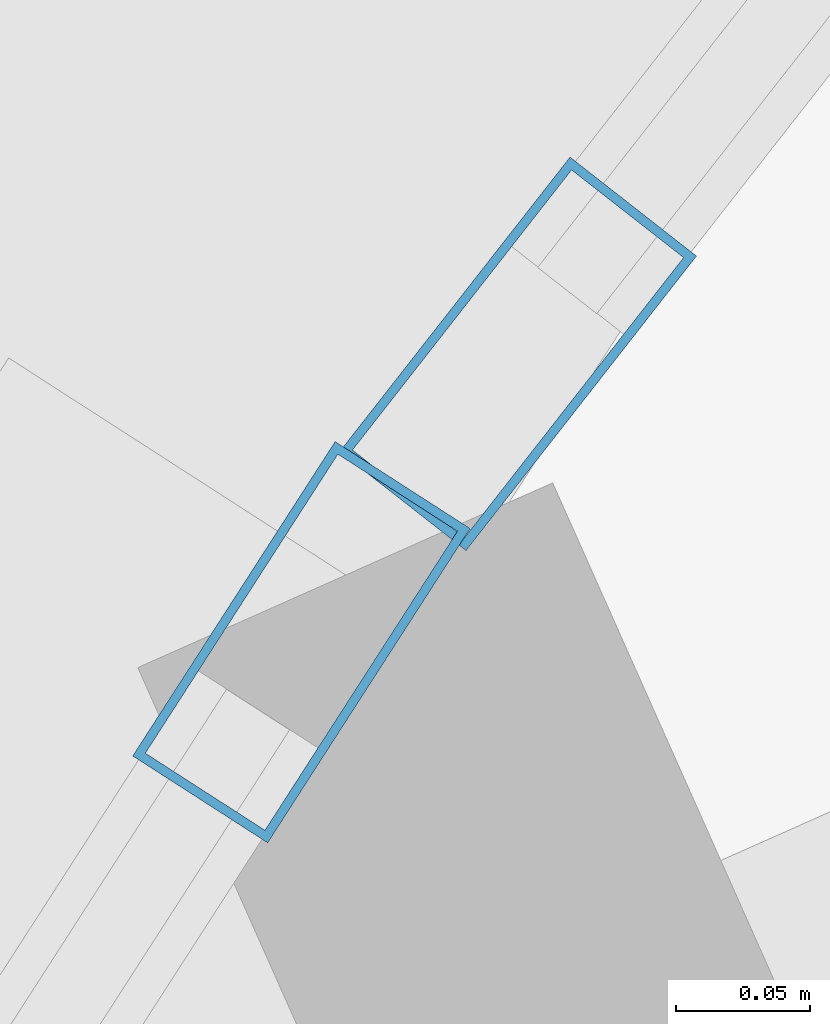
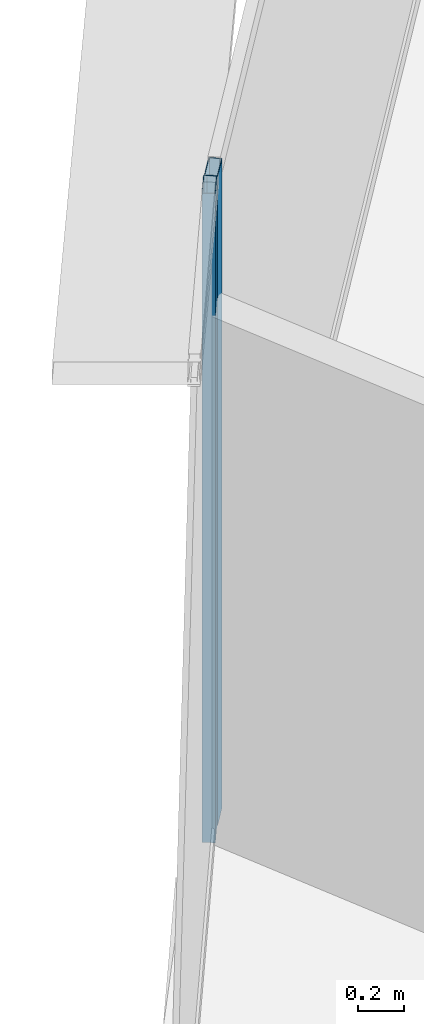
# One storey, part 16 of 34: 2 members, 2 elements without a shape of their own.
"""IFC4 building model written with IfcOpenShell, lengths in metres."""

from ifc_helpers import new_model, si_unit, direction, frame, origin, origin_2d, place, context, subcontext, project, spatial, hollow_rectangle, extrude, source, transform, mapped, material, layer, layer_set, material_profile, profile_set, type_object, element, aggregate, save


model = new_model("IFC4")

# Units and contexts
model_context = context("Model", 3, precision=1e-05, world=origin(), true_north=direction((0.0, 1.0)))
body_context = subcontext(model_context, "Body", "Model", "MODEL_VIEW")
ifc_project = project(units=[si_unit("LENGTHUNIT", "METRE"), si_unit("AREAUNIT", "SQUARE_METRE"), si_unit("VOLUMEUNIT", "CUBIC_METRE"), si_unit("PLANEANGLEUNIT", "RADIAN"), si_unit("MASSUNIT", "GRAM", prefix="KILO"), si_unit("THERMODYNAMICTEMPERATUREUNIT", "KELVIN"), si_unit("POWERUNIT", "WATT")], contexts=[model_context])

# Site, building, storey
site_placement = place(None, origin())
site = spatial("IfcSite", under=ifc_project, at=site_placement, CompositionType="ELEMENT")
building_placement = place(site_placement, origin())
building = spatial("IfcBuilding", under=site, at=building_placement, Name="Yunzhuo Pagoda Commons", CompositionType="ELEMENT")
storey_placement = place(building_placement, frame((0.0, 0.0, 229.610107421875)))
storey = spatial("IfcBuildingStorey", under=building, at=storey_placement, Name="L57", CompositionType="ELEMENT", Elevation=229.610107421875)

# Curtain wall, member
ifc_material = material(Name="Anodized aluminium 6063-T6", Category="aluminium")
ifc_layer = layer(ifc_material, 0.139892578125)
ifc_layer_set = layer_set([ifc_layer], Name="Anodized aluminium 6063-T6")
curtain_wall_type = type_object("IfcCurtainWallType", Name="CW-HI High-Zone Ribbon Curtain Wall", PredefinedType="NOTDEFINED", material=ifc_layer_set)
curtain_wall_1_placement = place(storey_placement, origin())
curtain_wall_1 = element("IfcCurtainWall", 1, at=curtain_wall_1_placement, inside=storey, type_object=curtain_wall_type, Name="L57 curtain wall CW-L57-F3B2", PredefinedType="NOTDEFINED")
ifc_material_profile = material_profile(ifc_material, hollow_rectangle(XDim=0.06005859375, YDim=0.139892578125, WallThickness=0.00341796875, at=origin_2d()), Name="Anodized aluminium 6063-T6")
ifc_profile_set = profile_set([ifc_material_profile], Name="Anodized aluminium 6063-T6")
member_type = type_object("IfcMemberType", Name="CW-HI-M Mullion RHS 140x60x3.5", PredefinedType="MULLION", material=ifc_profile_set)
shared_shape = source(origin(), body_context, "Body", "SweptSolid", [
    extrude(hollow_rectangle(XDim=0.06005859375, YDim=0.139892578125, WallThickness=0.00341796875, at=origin_2d()), origin(), (0.0, 0.0, 1.0), 3.469970703125),
])
member_1_placement = place(storey_placement, frame((33.1806640625, 66.9228515625, 0.0), z_axis=(0.0, 0.0, 1.0), x_axis=(0.840807373352, -0.541334426133, 0.0)))
member_1 = element("IfcMember", 2, at=member_1_placement, type_object=member_type, Name="CW mullion 1", PredefinedType="MULLION", context=body_context, shape_type="MappedRepresentation", body=[
    mapped(shared_shape, transform((0.0, 0.0, 0.0), scale=1.0)),
])
aggregate(curtain_wall_1, [member_1])

curtain_wall_2_placement = place(storey_placement, origin())
curtain_wall_2 = element("IfcCurtainWall", 3, at=curtain_wall_2_placement, inside=storey, type_object=curtain_wall_type, Name="L57 curtain wall CW-L57-F3B1", PredefinedType="NOTDEFINED")
member_2_placement = place(storey_placement, frame((33.26171875, 67.03076171875, 0.0), z_axis=(0.0, 0.0, 1.0), x_axis=(0.787639445288, -0.616136433127, 0.0)))
member_2 = element("IfcMember", 4, at=member_2_placement, type_object=member_type, Name="CW mullion 2", PredefinedType="MULLION", context=body_context, shape_type="MappedRepresentation", body=[
    mapped(shared_shape, transform((0.0, 0.0, 0.0), scale=1.0)),
])
aggregate(curtain_wall_2, [member_2])

save(model, "model.ifc")
